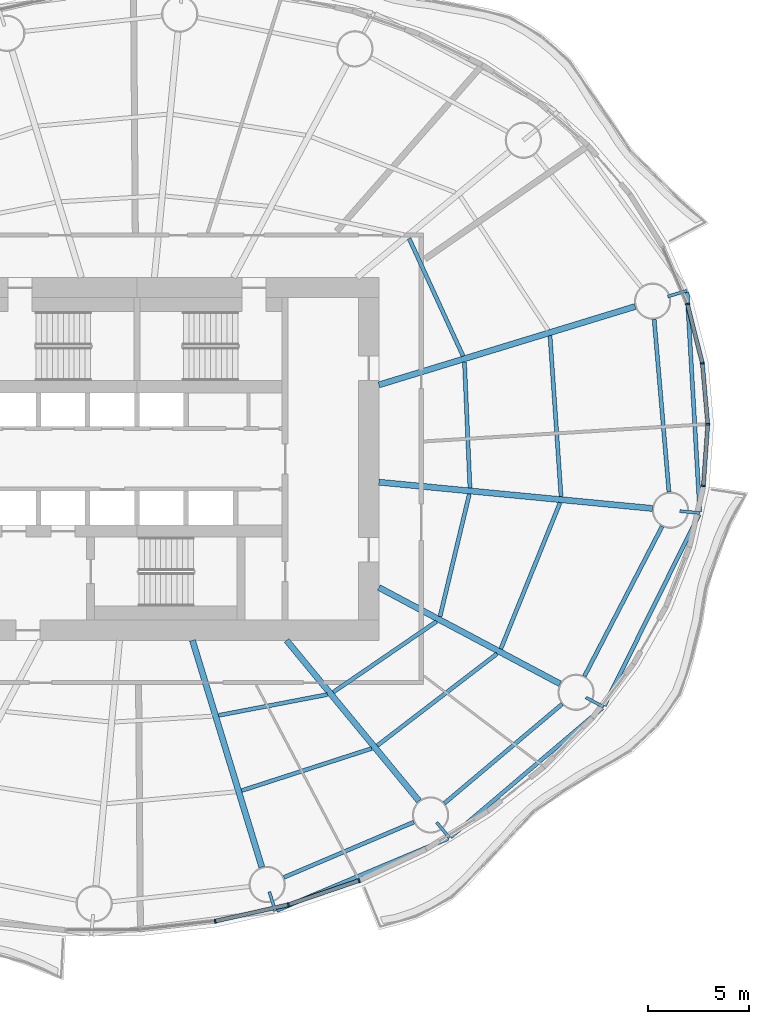
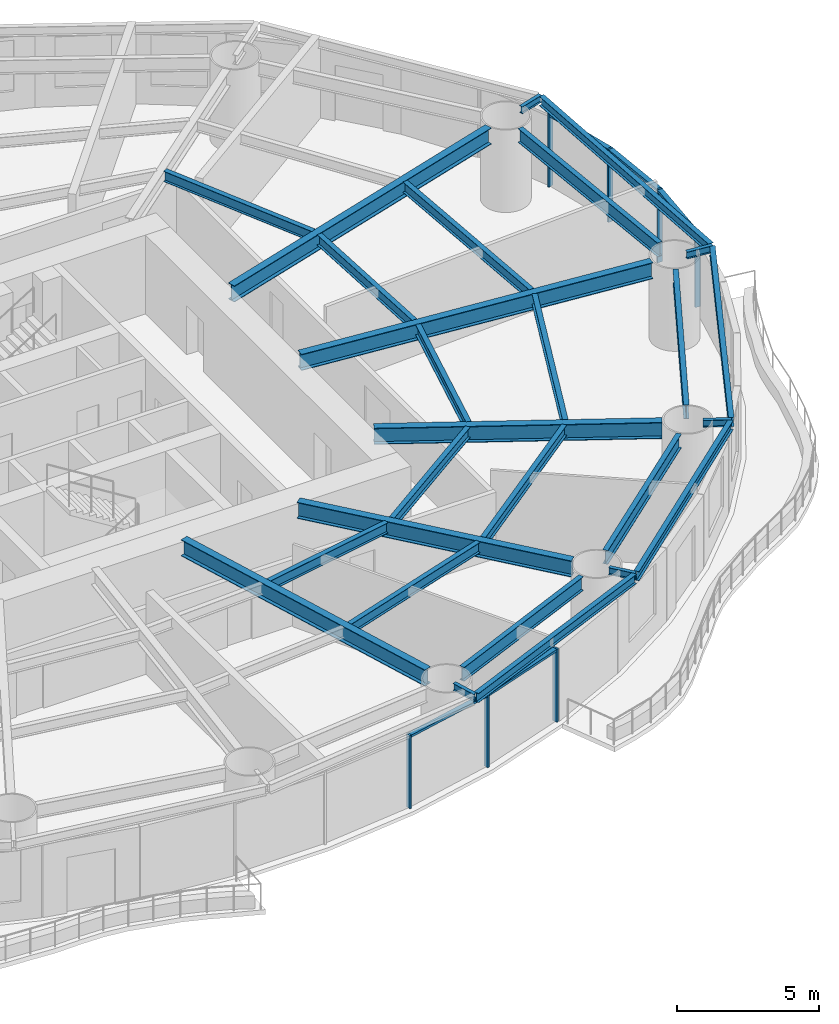
# One storey, part 4 of 16: 27 beams, 12 members, 6 elements without a shape of their own.
"""IFC4 building model written with IfcOpenShell, lengths in metres."""

from ifc_helpers import new_model, si_unit, direction, frame, origin, origin_2d, place, context, subcontext, project, spatial, rectangle, i_section, extrude, material, material_profile, profile_set, type_object, element, aggregate, save


model = new_model("IFC4")

# Units and contexts
model_context = context("Model", 3, precision=1e-05, world=origin(), true_north=direction((0.0, 1.0)))
body_context = subcontext(model_context, "Body", "Model", "MODEL_VIEW")
ifc_project = project(units=[si_unit("LENGTHUNIT", "METRE"), si_unit("AREAUNIT", "SQUARE_METRE"), si_unit("VOLUMEUNIT", "CUBIC_METRE"), si_unit("PLANEANGLEUNIT", "RADIAN"), si_unit("MASSUNIT", "GRAM", prefix="KILO")], contexts=[model_context])

# Site, building, storey
site_placement = place(None, origin())
site = spatial("IfcSite", under=ifc_project, at=site_placement, CompositionType="ELEMENT")
building_placement = place(site_placement, origin())
building = spatial("IfcBuilding", under=site, at=building_placement, Name="Vermilion Reach Broadcast Tower", CompositionType="ELEMENT")
storey_placement = place(building_placement, frame((0.0, 0.0, 73.0)))
storey = spatial("IfcBuildingStorey", under=building, at=storey_placement, Name="L15", CompositionType="ELEMENT", Elevation=73.0)

# Beams
ifc_material_1 = material(Name="Steel S355J2", Category="steel")
ifc_material_profile_1 = material_profile(ifc_material_1, i_section(OverallWidth=0.199951171875, OverallDepth=0.39990234375, WebThickness=0.008056640625, FlangeThickness=0.012939453125, at=origin_2d()), Name="S355J2 HN 400x200x8x13")
ifc_profile_set_1 = profile_set([ifc_material_profile_1], Name="Steel S355J2")
beam_type_1 = type_object("IfcBeamType", Name="EB1 HN 400x200x8x13", PredefinedType="BEAM", material=ifc_profile_set_1)
beam_1_placement = place(storey_placement, frame((0.929443359375, -22.39453125, 3.35009765625), z_axis=(0.922099891015, 0.386951923357, 0.0), x_axis=(-0.386951923357, 0.922099891015, 0.0)))
element("IfcBeam", 1, at=beam_1_placement, inside=storey, type_object=beam_type_1, Name="Edge beam EB1-13", PredefinedType="BEAM", context=body_context, shape_type="SweptSolid", body=[
    extrude(i_section(OverallWidth=0.199951171875, OverallDepth=0.39990234375, WebThickness=0.008056640625, FlangeThickness=0.012939453125, at=origin_2d()), origin(), (0.0, 0.0, 1.0), 9.21728515625),
])
beam_2_placement = place(storey_placement, frame((9.55810546875, -18.7490234375, 3.35009765625), z_axis=(0.762190525664, 0.647352765182, 0.0), x_axis=(-0.647352765182, 0.762190525664, 0.0)))
element("IfcBeam", 2, at=beam_2_placement, inside=storey, type_object=beam_type_1, Name="Edge beam EB1-14", PredefinedType="BEAM", context=body_context, shape_type="SweptSolid", body=[
    extrude(i_section(OverallWidth=0.199951171875, OverallDepth=0.39990234375, WebThickness=0.008056640625, FlangeThickness=0.012939453125, at=origin_2d()), origin(), (0.0, 0.0, 1.0), 9.877197265625),
])
beam_3_placement = place(storey_placement, frame((17.181396484375, -12.235595703125, 3.35009765625), z_axis=(0.444359815945, 0.89584839899, 0.0), x_axis=(-0.89584839899, 0.444359815945, 0.0)))
element("IfcBeam", 3, at=beam_3_placement, inside=storey, type_object=beam_type_1, Name="Edge beam EB1-15", PredefinedType="BEAM", context=body_context, shape_type="SweptSolid", body=[
    extrude(i_section(OverallWidth=0.199951171875, OverallDepth=0.39990234375, WebThickness=0.008056640625, FlangeThickness=0.012939453125, at=origin_2d()), origin(), (0.0, 0.0, 1.0), 10.58251953125),
])
beam_4_placement = place(storey_placement, frame((21.9150390625, -2.607666015625, 3.35009765625), z_axis=(-0.057702623398, 0.998333815541, 0.0), x_axis=(-0.998333815541, -0.057702623398, 0.0)))
element("IfcBeam", 4, at=beam_4_placement, inside=storey, type_object=beam_type_1, Name="Edge beam EB1-16", PredefinedType="BEAM", context=body_context, shape_type="SweptSolid", body=[
    extrude(i_section(OverallWidth=0.199951171875, OverallDepth=0.39990234375, WebThickness=0.008056640625, FlangeThickness=0.012939453125, at=origin_2d()), origin(), (0.0, 0.0, 1.0), 10.894775390625),
])
ifc_material_2 = material(Name="Steel S355J2", Category="steel")
ifc_material_profile_2 = material_profile(ifc_material_2, i_section(OverallWidth=0.300048828125, OverallDepth=0.699951171875, WebThickness=0.012939453125, FlangeThickness=0.02392578125, at=origin_2d()), Name="S355J2 HN 700x300x13x24")
ifc_profile_set_2 = profile_set([ifc_material_profile_2], Name="Steel S355J2")
beam_type_2 = type_object("IfcBeamType", Name="G1 HN 700x300x13x24", PredefinedType="BEAM", material=ifc_profile_set_2)
beam_5_placement = place(storey_placement, frame((6.0, 3.671142578125, 3.199951171875), z_axis=(0.956255735186, 0.292531996409, 0.0), x_axis=(-0.292531996409, 0.956255735186, 0.0)))
element("IfcBeam", 5, at=beam_5_placement, inside=storey, type_object=beam_type_2, Name="Girder G1-01", PredefinedType="BEAM", context=body_context, shape_type="SweptSolid", body=[
    extrude(i_section(OverallWidth=0.300048828125, OverallDepth=0.699951171875, WebThickness=0.012939453125, FlangeThickness=0.02392578125, at=origin_2d()), origin(), (0.0, 0.0, 1.0), 13.29638671875),
])
beam_6_placement = place(storey_placement, frame((-3.246826171875, -9.0, 3.199951171875), z_axis=(0.292542302886, -0.95625258223, 0.0), x_axis=(0.95625258223, 0.292542302886, 0.0)))
element("IfcBeam", 6, at=beam_6_placement, inside=storey, type_object=beam_type_2, Name="Girder G1-13", PredefinedType="BEAM", context=body_context, shape_type="SweptSolid", body=[
    extrude(i_section(OverallWidth=0.300048828125, OverallDepth=0.699951171875, WebThickness=0.012939453125, FlangeThickness=0.02392578125, at=origin_2d()), origin(), (0.0, 0.0, 1.0), 11.76220703125),
])
beam_7_placement = place(storey_placement, frame((1.421630859375, -9.0, 3.199951171875), z_axis=(0.636215165107, -0.77151167437, 0.0), x_axis=(0.77151167437, 0.636215165107, 0.0)))
element("IfcBeam", 7, at=beam_7_placement, inside=storey, type_object=beam_type_2, Name="Girder G1-14", PredefinedType="BEAM", context=body_context, shape_type="SweptSolid", body=[
    extrude(i_section(OverallWidth=0.300048828125, OverallDepth=0.699951171875, WebThickness=0.012939453125, FlangeThickness=0.02392578125, at=origin_2d()), origin(), (0.0, 0.0, 1.0), 10.3251953125),
])
beam_8_placement = place(storey_placement, frame((6.0, -6.3779296875, 3.199951171875), z_axis=(0.883032139419, -0.469312519279, 0.0), x_axis=(0.469312519279, 0.883032139419, 0.0)))
element("IfcBeam", 8, at=beam_8_placement, inside=storey, type_object=beam_type_2, Name="Girder G1-15", PredefinedType="BEAM", context=body_context, shape_type="SweptSolid", body=[
    extrude(i_section(OverallWidth=0.300048828125, OverallDepth=0.699951171875, WebThickness=0.012939453125, FlangeThickness=0.02392578125, at=origin_2d()), origin(), (0.0, 0.0, 1.0), 10.17529296875),
])
beam_9_placement = place(storey_placement, frame((6.0, -1.1533203125, 3.199951171875), z_axis=(0.995412178872, -0.095679643363, 0.0), x_axis=(0.095679643363, 0.995412178872, 0.0)))
element("IfcBeam", 9, at=beam_9_placement, inside=storey, type_object=beam_type_2, Name="Girder G1-16", PredefinedType="BEAM", context=body_context, shape_type="SweptSolid", body=[
    extrude(i_section(OverallWidth=0.300048828125, OverallDepth=0.699951171875, WebThickness=0.012939453125, FlangeThickness=0.02392578125, at=origin_2d()), origin(), (0.0, 0.0, 1.0), 13.630859375),
])
ifc_material_3 = material(Name="Steel S355J2", Category="steel")
ifc_material_profile_3 = material_profile(ifc_material_3, i_section(OverallWidth=0.14990234375, OverallDepth=0.300048828125, WebThickness=0.006591796875, FlangeThickness=0.009033203125, at=origin_2d()), Name="S355J2 HN 300x150x6.5x9")
ifc_profile_set_3 = profile_set([ifc_material_profile_3], Name="Steel S355J2")
beam_type_3 = type_object("IfcBeamType", Name="GS1 HN 300x150x6.5x9", PredefinedType="BEAM", material=ifc_profile_set_3)
beam_10_placement = place(storey_placement, frame((20.32568359375, 8.0537109375, 3.39990234375), z_axis=(0.95627383467, 0.292472824594, 0.0), x_axis=(-0.292472824594, 0.95627383467, 0.0)))
element("IfcBeam", 10, at=beam_10_placement, inside=storey, type_object=beam_type_3, Name="Cantilever stub GS1-01", PredefinedType="BEAM", context=body_context, shape_type="SweptSolid", body=[
    extrude(i_section(OverallWidth=0.14990234375, OverallDepth=0.300048828125, WebThickness=0.006591796875, FlangeThickness=0.009033203125, at=origin_2d()), origin(), (0.0, 0.0, 1.0), 1.0),
])
beam_11_placement = place(storey_placement, frame((0.5673828125, -21.467529296875, 3.39990234375), z_axis=(0.292541120261, -0.956252944025, 0.0), x_axis=(0.956252944025, 0.292541120261, 0.0)))
element("IfcBeam", 11, at=beam_11_placement, inside=storey, type_object=beam_type_3, Name="Cantilever stub GS1-13", PredefinedType="BEAM", context=body_context, shape_type="SweptSolid", body=[
    extrude(i_section(OverallWidth=0.14990234375, OverallDepth=0.300048828125, WebThickness=0.006591796875, FlangeThickness=0.009033203125, at=origin_2d()), origin(), (0.0, 0.0, 1.0), 0.999755859375),
])
beam_12_placement = place(storey_placement, frame((8.86474609375, -18.02587890625, 3.39990234375), z_axis=(0.636117850493, -0.77159191305, 0.0), x_axis=(0.77159191305, 0.636117850493, 0.0)))
element("IfcBeam", 12, at=beam_12_placement, inside=storey, type_object=beam_type_3, Name="Cantilever stub GS1-14", PredefinedType="BEAM", context=body_context, shape_type="SweptSolid", body=[
    extrude(i_section(OverallWidth=0.14990234375, OverallDepth=0.300048828125, WebThickness=0.006591796875, FlangeThickness=0.009033203125, at=origin_2d()), origin(), (0.0, 0.0, 1.0), 1.000244140625),
])
for number, where, z_axis, x_axis, name in (
    (13, (16.264892578125, -11.83349609375, 3.39990234375), (0.883068299348, -0.469244476458, 0.0), (0.469244476458, 0.883068299348, 0.0), "Cantilever stub GS1-15"),
    (14, (20.924072265625, -2.587646484375, 3.39990234375), (0.995409476419, -0.095707754417, 0.0), (0.095707754417, 0.995409476419, 0.0), "Cantilever stub GS1-16"),
):
    element("IfcBeam", number, at=place(storey_placement, frame(where, z_axis=z_axis, x_axis=x_axis)), inside=storey, type_object=beam_type_3, Name=name, PredefinedType="BEAM", context=body_context, shape_type="SweptSolid", body=[
        extrude(i_section(OverallWidth=0.14990234375, OverallDepth=0.300048828125, WebThickness=0.006591796875, FlangeThickness=0.009033203125, at=origin_2d()), origin(), (0.0, 0.0, 1.0), 1.0),
    ])
ifc_material_4 = material(Name="Steel S355J2", Category="steel")
ifc_material_profile_4 = material_profile(ifc_material_4, i_section(OverallWidth=0.199951171875, OverallDepth=0.60009765625, WebThickness=0.010986328125, FlangeThickness=0.01708984375, at=origin_2d()), Name="S355J2 HN 600x200x11x17")
ifc_profile_set_4 = profile_set([ifc_material_profile_4], Name="Steel S355J2")
beam_type_4 = type_object("IfcBeamType", Name="RB1 HN 600x200x11x17", PredefinedType="BEAM", material=ifc_profile_set_4)
beam_13_placement = place(storey_placement, frame((1.28564453125, -20.755859375, 3.25), z_axis=(0.920220846584, 0.391399531825, 0.0), x_axis=(-0.391399531825, 0.920220846584, 0.0)))
element("IfcBeam", 15, at=beam_13_placement, inside=storey, type_object=beam_type_4, Name="Ring beam RB1-13", PredefinedType="BEAM", context=body_context, shape_type="SweptSolid", body=[
    extrude(i_section(OverallWidth=0.199951171875, OverallDepth=0.60009765625, WebThickness=0.010986328125, FlangeThickness=0.01708984375, at=origin_2d()), origin(), (0.0, 0.0, 1.0), 7.008544921875),
])
beam_14_placement = place(storey_placement, frame((9.251220703125, -17.080322265625, 3.25), z_axis=(0.764512441084, 0.6446089725, 0.0), x_axis=(-0.6446089725, 0.764512441084, 0.0)))
element("IfcBeam", 16, at=beam_14_placement, inside=storey, type_object=beam_type_4, Name="Ring beam RB1-14", PredefinedType="BEAM", context=body_context, shape_type="SweptSolid", body=[
    extrude(i_section(OverallWidth=0.199951171875, OverallDepth=0.60009765625, WebThickness=0.010986328125, FlangeThickness=0.01708984375, at=origin_2d()), origin(), (0.0, 0.0, 1.0), 7.6396484375),
])
beam_15_placement = place(storey_placement, frame((16.194091796875, -10.776611328125, 3.25), z_axis=(0.460411617218, 0.887705549566, 0.0), x_axis=(-0.887705549566, 0.460411617218, 0.0)))
element("IfcBeam", 17, at=beam_15_placement, inside=storey, type_object=beam_type_4, Name="Ring beam RB1-15", PredefinedType="BEAM", context=body_context, shape_type="SweptSolid", body=[
    extrude(i_section(OverallWidth=0.199951171875, OverallDepth=0.60009765625, WebThickness=0.010986328125, FlangeThickness=0.01708984375, at=origin_2d()), origin(), (0.0, 0.0, 1.0), 8.37451171875),
])
beam_16_placement = place(storey_placement, frame((20.38720703125, -1.646728515625, 3.25), z_axis=(-0.085395508608, 0.996347131832, 0.0), x_axis=(-0.996347131832, -0.085395508608, 0.0)))
element("IfcBeam", 18, at=beam_16_placement, inside=storey, type_object=beam_type_4, Name="Ring beam RB1-16", PredefinedType="BEAM", context=body_context, shape_type="SweptSolid", body=[
    extrude(i_section(OverallWidth=0.199951171875, OverallDepth=0.60009765625, WebThickness=0.010986328125, FlangeThickness=0.01708984375, at=origin_2d()), origin(), (0.0, 0.0, 1.0), 8.60546875),
])
ifc_material_5 = material(Name="Steel S355J2", Category="steel")
ifc_material_profile_5 = material_profile(ifc_material_5, i_section(OverallWidth=0.199951171875, OverallDepth=0.449951171875, WebThickness=0.009033203125, FlangeThickness=0.013916015625, at=origin_2d()), Name="S355J2 HN 450x200x9x14")
ifc_profile_set_5 = profile_set([ifc_material_profile_5], Name="Steel S355J2")
beam_type_5 = type_object("IfcBeamType", Name="SB1 HN 450x200x9x14", PredefinedType="BEAM", material=ifc_profile_set_5)
beam_17_placement = place(storey_placement, frame((10.175048828125, 5.105224609375, 3.324951171875), z_axis=(-0.417211452529, 0.908809443106, 0.0), x_axis=(-0.908809443106, -0.417211452529, 0.0)))
element("IfcBeam", 19, at=beam_17_placement, inside=storey, type_object=beam_type_5, Name="Secondary beam SB1-01-1", PredefinedType="BEAM", context=body_context, shape_type="SweptSolid", body=[
    extrude(i_section(OverallWidth=0.199951171875, OverallDepth=0.449951171875, WebThickness=0.009033203125, FlangeThickness=0.013916015625, at=origin_2d()), origin(), (0.0, 0.0, 1.0), 6.41650390625),
])
beam_18_placement = place(storey_placement, frame((-1.95166015625, -12.720703125, 3.324951171875), z_axis=(0.982151348822, 0.188092339045, 0.0), x_axis=(-0.188092339045, 0.982151348822, 0.0)))
element("IfcBeam", 20, at=beam_18_placement, inside=storey, type_object=beam_type_5, Name="Secondary beam SB1-13-1", PredefinedType="BEAM", context=body_context, shape_type="SweptSolid", body=[
    extrude(i_section(OverallWidth=0.199951171875, OverallDepth=0.449951171875, WebThickness=0.009033203125, FlangeThickness=0.013916015625, at=origin_2d()), origin(), (0.0, 0.0, 1.0), 5.4931640625),
])
beam_19_placement = place(storey_placement, frame((-0.81005859375, -16.4521484375, 3.324951171875), z_axis=(0.951332300844, 0.308166924523, 0.0), x_axis=(-0.308166924523, 0.951332300844, 0.0)))
element("IfcBeam", 21, at=beam_19_placement, inside=storey, type_object=beam_type_5, Name="Secondary beam SB1-13-2", PredefinedType="BEAM", context=body_context, shape_type="SweptSolid", body=[
    extrude(i_section(OverallWidth=0.199951171875, OverallDepth=0.449951171875, WebThickness=0.009033203125, FlangeThickness=0.013916015625, at=origin_2d()), origin(), (0.0, 0.0, 1.0), 6.787841796875),
])
beam_20_placement = place(storey_placement, frame((3.735595703125, -11.5703125, 3.324951171875), z_axis=(0.825140253447, 0.564927926502, 0.0), x_axis=(-0.564927926502, 0.825140253447, 0.0)))
element("IfcBeam", 22, at=beam_20_placement, inside=storey, type_object=beam_type_5, Name="Secondary beam SB1-14-1", PredefinedType="BEAM", context=body_context, shape_type="SweptSolid", body=[
    extrude(i_section(OverallWidth=0.199951171875, OverallDepth=0.449951171875, WebThickness=0.009033203125, FlangeThickness=0.013916015625, at=origin_2d()), origin(), (0.0, 0.0, 1.0), 6.20458984375),
])
beam_21_placement = place(storey_placement, frame((5.920166015625, -14.21923828125, 3.324951171875), z_axis=(0.793349617473, 0.60876628065, 0.0), x_axis=(-0.60876628065, 0.793349617473, 0.0)))
element("IfcBeam", 23, at=beam_21_placement, inside=storey, type_object=beam_type_5, Name="Secondary beam SB1-14-2", PredefinedType="BEAM", context=body_context, shape_type="SweptSolid", body=[
    extrude(i_section(OverallWidth=0.199951171875, OverallDepth=0.449951171875, WebThickness=0.009033203125, FlangeThickness=0.013916015625, at=origin_2d()), origin(), (0.0, 0.0, 1.0), 7.486328125),
])
beam_22_placement = place(storey_placement, frame((9.031005859375, -7.81884765625, 3.324951171875), z_axis=(0.232844467589, 0.972513986487, 0.0), x_axis=(-0.972513986487, 0.232844467589, 0.0)))
element("IfcBeam", 24, at=beam_22_placement, inside=storey, type_object=beam_type_5, Name="Secondary beam SB1-15-1", PredefinedType="BEAM", context=body_context, shape_type="SweptSolid", body=[
    extrude(i_section(OverallWidth=0.199951171875, OverallDepth=0.449951171875, WebThickness=0.009033203125, FlangeThickness=0.013916015625, at=origin_2d()), origin(), (0.0, 0.0, 1.0), 6.25537109375),
])
beam_23_placement = place(storey_placement, frame((12.046630859375, -9.421630859375, 3.324951171875), z_axis=(0.375640669938, 0.926765389453, 0.0), x_axis=(-0.926765389453, 0.375640669938, 0.0)))
element("IfcBeam", 25, at=beam_23_placement, inside=storey, type_object=beam_type_5, Name="Secondary beam SB1-15-2", PredefinedType="BEAM", context=body_context, shape_type="SweptSolid", body=[
    extrude(i_section(OverallWidth=0.199951171875, OverallDepth=0.449951171875, WebThickness=0.009033203125, FlangeThickness=0.013916015625, at=origin_2d()), origin(), (0.0, 0.0, 1.0), 7.8271484375),
])
beam_24_placement = place(storey_placement, frame((10.51611328125, -1.436767578125, 3.324951171875), z_axis=(-0.043361007512, 0.999059469215, 0.0), x_axis=(-0.999059469215, -0.043361007512, 0.0)))
element("IfcBeam", 26, at=beam_24_placement, inside=storey, type_object=beam_type_5, Name="Secondary beam SB1-16-1", PredefinedType="BEAM", context=body_context, shape_type="SweptSolid", body=[
    extrude(i_section(OverallWidth=0.199951171875, OverallDepth=0.449951171875, WebThickness=0.009033203125, FlangeThickness=0.013916015625, at=origin_2d()), origin(), (0.0, 0.0, 1.0), 6.25537109375),
])
beam_25_placement = place(storey_placement, frame((15.03515625, -1.87109375, 3.324951171875), z_axis=(-0.068507801475, 0.997650580683, 0.0), x_axis=(-0.997650580683, -0.068507801475, 0.0)))
element("IfcBeam", 27, at=beam_25_placement, inside=storey, type_object=beam_type_5, Name="Secondary beam SB1-16-2", PredefinedType="BEAM", context=body_context, shape_type="SweptSolid", body=[
    extrude(i_section(OverallWidth=0.199951171875, OverallDepth=0.449951171875, WebThickness=0.009033203125, FlangeThickness=0.013916015625, at=origin_2d()), origin(), (0.0, 0.0, 1.0), 8.00048828125),
])

# Curtain wall, member
ifc_material_6 = material(Name="Low-e laminated clear glass in aluminium frame", Category="aluminium")
curtain_wall_type = type_object("IfcCurtainWallType", Name="Slot curtain wall", PredefinedType="NOTDEFINED", material=ifc_material_6)
placement = place(storey_placement, origin())
curtain_wall_1 = element("IfcCurtainWall", 28, at=placement, inside=storey, type_object=curtain_wall_type, Name="Slot curtain wall L15 46", PredefinedType="NOTDEFINED")
ifc_material_7 = material(Name="Anodised aluminium", Category="aluminium")
ifc_material_profile_6 = material_profile(ifc_material_7, rectangle(XDim=0.199951171875, YDim=0.080078125, at=origin_2d()), Name="Slot mullion 80 x 200")
ifc_profile_set_6 = profile_set([ifc_material_profile_6], Name="Anodised aluminium")
member_type_1 = type_object("IfcMemberType", Name="Slot mullion 80 x 200", PredefinedType="MULLION", material=ifc_profile_set_6)
member_1_placement = place(storey_placement, frame((22.09375, -1.336181640625, 0.0), z_axis=(0.0, 0.0, 1.0), x_axis=(-0.989084318095, 0.147350642003, 0.0)))
member_1 = element("IfcMember", 29, at=member_1_placement, type_object=member_type_1, Name="Slot mullion L15 46", PredefinedType="MULLION", context=body_context, shape_type="SweptSolid", body=[
    extrude(rectangle(XDim=0.199951171875, YDim=0.080078125, at=origin_2d()), origin(), (0.0, 0.0, 1.0), 3.14990234375),
])

curtain_wall_2 = element("IfcCurtainWall", 30, at=placement, inside=storey, type_object=curtain_wall_type, Name="Slot curtain wall L15 47", PredefinedType="NOTDEFINED")
member_2_placement = place(storey_placement, frame((22.309814453125, 1.71875, 0.0), z_axis=(0.0, 0.0, 1.0), x_axis=(-0.999963263674, -0.008571540211, 0.0)))
member_2 = element("IfcMember", 31, at=member_2_placement, type_object=member_type_1, Name="Slot mullion L15 47", PredefinedType="MULLION", context=body_context, shape_type="SweptSolid", body=[
    extrude(rectangle(XDim=0.199951171875, YDim=0.080078125, at=origin_2d()), origin(), (0.0, 0.0, 1.0), 3.14990234375),
])

curtain_wall_3 = element("IfcCurtainWall", 32, at=placement, inside=storey, type_object=curtain_wall_type, Name="Slot curtain wall L15 00", PredefinedType="NOTDEFINED")
member_3_placement = place(storey_placement, frame((22.0439453125, 4.7431640625, 0.0), z_axis=(0.0, 0.0, 1.0), x_axis=(-0.985996034163, -0.166768763908, 0.0)))
member_3 = element("IfcMember", 33, at=member_3_placement, type_object=member_type_1, Name="Slot mullion L15 00", PredefinedType="MULLION", context=body_context, shape_type="SweptSolid", body=[
    extrude(rectangle(XDim=0.199951171875, YDim=0.080078125, at=origin_2d()), origin(), (0.0, 0.0, 1.0), 3.14990234375),
])

curtain_wall_4 = element("IfcCurtainWall", 34, at=placement, inside=storey, type_object=curtain_wall_type, Name="Slot curtain wall L15 01", PredefinedType="NOTDEFINED")
member_4_placement = place(storey_placement, frame((21.30029296875, 7.687255859375, 0.0), z_axis=(0.0, 0.0, 1.0), x_axis=(-0.947160548243, -0.32075987257, 0.0)))
member_4 = element("IfcMember", 35, at=member_4_placement, type_object=member_type_1, Name="Slot mullion L15 01", PredefinedType="MULLION", context=body_context, shape_type="SweptSolid", body=[
    extrude(rectangle(XDim=0.199951171875, YDim=0.080078125, at=origin_2d()), origin(), (0.0, 0.0, 1.0), 3.14990234375),
])
aggregate(curtain_wall_4, [member_4])

curtain_wall_5 = element("IfcCurtainWall", 36, at=placement, inside=storey, type_object=curtain_wall_type, Name="Slot curtain wall L15 36", PredefinedType="NOTDEFINED")
member_5_placement = place(storey_placement, frame((-2.122314453125, -22.927001953125, 0.0), z_axis=(0.0, 0.0, 1.0), x_axis=(-0.166768650518, 0.985996053341, 0.0)))
member_5 = element("IfcMember", 37, at=member_5_placement, type_object=member_type_1, Name="Slot mullion L15 36", PredefinedType="MULLION", context=body_context, shape_type="SweptSolid", body=[
    extrude(rectangle(XDim=0.199951171875, YDim=0.080078125, at=origin_2d()), origin(), (0.0, 0.0, 1.0), 3.14990234375),
])

# Curtain wall, members
curtain_wall_6 = element("IfcCurtainWall", 38, at=placement, inside=storey, type_object=curtain_wall_type, Name="Slot curtain wall L15 37", PredefinedType="NOTDEFINED")
member_6_placement = place(storey_placement, frame((1.51171875, -22.109619140625, 0.0), z_axis=(0.0, 0.0, 1.0), x_axis=(-0.271708097742, 0.962379711767, 0.0)))
member_6 = element("IfcMember", 39, at=member_6_placement, type_object=member_type_1, Name="Slot mullion L15 37", PredefinedType="MULLION", context=body_context, shape_type="SweptSolid", body=[
    extrude(rectangle(XDim=0.199951171875, YDim=0.080078125, at=origin_2d()), origin(), (0.0, 0.0, 1.0), 3.14990234375),
])
member_7_placement = place(storey_placement, frame((5.0166015625, -20.91259765625, 0.0), z_axis=(0.0, 0.0, 1.0), x_axis=(-0.374622837263, 0.927177291461, 0.0)))
member_7 = element("IfcMember", 40, at=member_7_placement, type_object=member_type_1, Name="Slot mullion L15 38", PredefinedType="MULLION", context=body_context, shape_type="SweptSolid", body=[
    extrude(rectangle(XDim=0.199951171875, YDim=0.080078125, at=origin_2d()), origin(), (0.0, 0.0, 1.0), 3.14990234375),
])

# Member
ifc_material_8 = material(Name="Anodised aluminium", Category="aluminium")
ifc_material_profile_7 = material_profile(ifc_material_8, rectangle(XDim=0.199951171875, YDim=0.10009765625, at=origin_2d()), Name="Slot transom 200 x 100")
ifc_profile_set_7 = profile_set([ifc_material_profile_7], Name="Anodised aluminium")
member_type_2 = type_object("IfcMemberType", Name="Slot transom 200 x 100", PredefinedType="USERDEFINED", material=ifc_profile_set_7)
member_8_placement = place(storey_placement, frame((22.0966796875, -1.296142578125, 3.10009765625), z_axis=(0.07056636102, 0.997507087039, 0.0), x_axis=(-0.997507087039, 0.07056636102, 0.0)))
member_8 = element("IfcMember", 41, at=member_8_placement, type_object=member_type_2, Name="Slot transom L15 46.1", ObjectType="TRANSOM", PredefinedType="USERDEFINED", context=body_context, shape_type="SweptSolid", body=[
    extrude(rectangle(XDim=0.199951171875, YDim=0.10009765625, at=origin_2d()), origin(), (0.0, 0.0, 1.0), 2.982177734375),
])

aggregate(curtain_wall_1, [member_1, member_8])

member_9_placement = place(storey_placement, frame((22.306396484375, 1.758544921875, 3.10009765625), z_axis=(-0.087623860375, 0.996153632274, 0.0), x_axis=(-0.996153632274, -0.087623860375, 0.0)))
member_9 = element("IfcMember", 42, at=member_9_placement, type_object=member_type_2, Name="Slot transom L15 47.1", ObjectType="TRANSOM", PredefinedType="USERDEFINED", context=body_context, shape_type="SweptSolid", body=[
    extrude(rectangle(XDim=0.199951171875, YDim=0.10009765625, at=origin_2d()), origin(), (0.0, 0.0, 1.0), 2.956298828125),
])

aggregate(curtain_wall_2, [member_2, member_9])

member_10_placement = place(storey_placement, frame((22.033935546875, 4.781982421875, 3.10009765625), z_axis=(-0.244847152114, 0.969561690715, 0.0), x_axis=(-0.969561690715, -0.244847152114, 0.0)))
member_10 = element("IfcMember", 43, at=member_10_placement, type_object=member_type_2, Name="Slot transom L15 00.1", ObjectType="TRANSOM", PredefinedType="USERDEFINED", context=body_context, shape_type="SweptSolid", body=[
    extrude(rectangle(XDim=0.199951171875, YDim=0.10009765625, at=origin_2d()), origin(), (0.0, 0.0, 1.0), 2.95654296875),
])

aggregate(curtain_wall_3, [member_3, member_10])

member_11_placement = place(storey_placement, frame((-2.083251953125, -22.918212890625, 3.10009765625), z_axis=(0.975629117101, 0.219426128493, 0.0), x_axis=(-0.219426128493, 0.975629117101, 0.0)))
member_11 = element("IfcMember", 44, at=member_11_placement, type_object=member_type_2, Name="Slot transom L15 36.1", ObjectType="TRANSOM", PredefinedType="USERDEFINED", context=body_context, shape_type="SweptSolid", body=[
    extrude(rectangle(XDim=0.199951171875, YDim=0.10009765625, at=origin_2d()), origin(), (0.0, 0.0, 1.0), 3.64501953125),
])

aggregate(curtain_wall_5, [member_5, member_11])

member_12_placement = place(storey_placement, frame((1.549560546875, -22.0966796875, 3.10009765625), z_axis=(0.946333271591, 0.323192418042, 0.0), x_axis=(-0.323192418042, 0.946333271591, 0.0)))
member_12 = element("IfcMember", 45, at=member_12_placement, type_object=member_type_2, Name="Slot transom L15 37.1", ObjectType="TRANSOM", PredefinedType="USERDEFINED", context=body_context, shape_type="SweptSolid", body=[
    extrude(rectangle(XDim=0.199951171875, YDim=0.10009765625, at=origin_2d()), origin(), (0.0, 0.0, 1.0), 3.623779296875),
])

aggregate(curtain_wall_6, [member_6, member_7, member_12])

save(model, "model.ifc")
